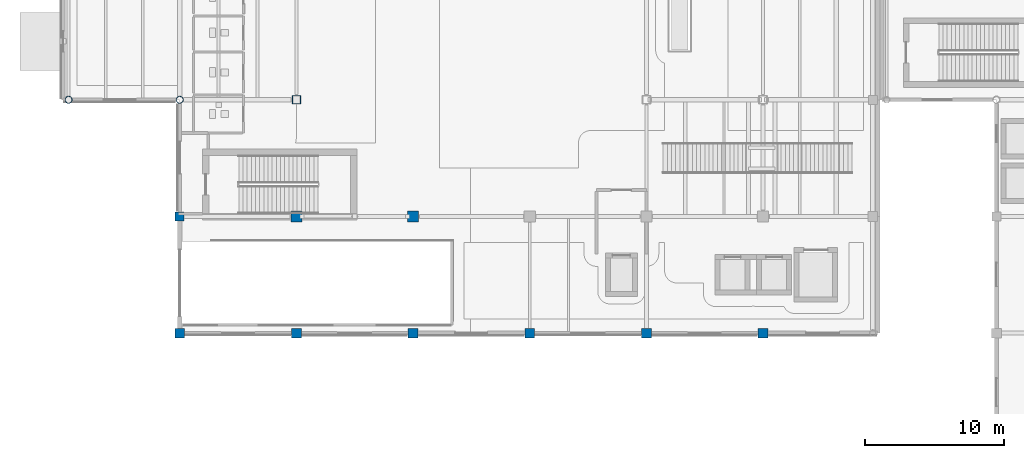
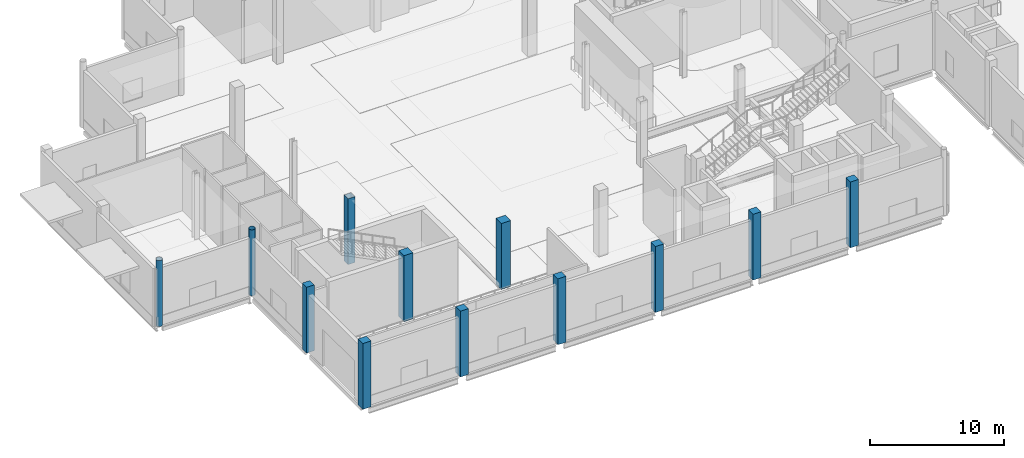
# One storey, part 1 of 85: 12 columns.
"""IFC4 building model written with IfcOpenShell, lengths in metres."""

from ifc_helpers import new_model, si_unit, direction, frame, origin, origin_2d, place, context, subcontext, project, spatial, rectangle, hollow_rectangle, hollow_circle, extrude, material, material_profile, profile_set, type_object, element, save


model = new_model("IFC4")

# Units and contexts
model_context = context("Model", 3, precision=1e-05, world=origin(), true_north=direction((0.0, 1.0)))
body_context = subcontext(model_context, "Body", "Model", "MODEL_VIEW")
ifc_project = project(units=[si_unit("LENGTHUNIT", "METRE"), si_unit("AREAUNIT", "SQUARE_METRE"), si_unit("VOLUMEUNIT", "CUBIC_METRE"), si_unit("PLANEANGLEUNIT", "RADIAN"), si_unit("MASSUNIT", "GRAM", prefix="KILO"), si_unit("THERMODYNAMICTEMPERATUREUNIT", "KELVIN")], contexts=[model_context])

# Site, building, storey
site_placement = place(None, origin())
site = spatial("IfcSite", under=ifc_project, at=site_placement, CompositionType="ELEMENT")
building_placement = place(site_placement, origin())
building = spatial("IfcBuilding", under=site, at=building_placement, Name="Lustrewick Department Store", CompositionType="ELEMENT")
storey_placement = place(building_placement, origin())
storey = spatial("IfcBuildingStorey", under=building, at=storey_placement, Name="L01", CompositionType="ELEMENT", Elevation=0.0)

# Columns
ifc_material_1 = material(Name="Structural steel Q355C", Category="steel")
ifc_material_profile_1 = material_profile(ifc_material_1, hollow_rectangle(XDim=0.60009765625, YDim=0.60009765625, WallThickness=0.02392578125, at=origin_2d()), Name="BOX 600x600x24")
ifc_profile_set_1 = profile_set([ifc_material_profile_1], Name="Structural steel Q355C")
column_type_1 = type_object("IfcColumnType", Name="C04", PredefinedType="COLUMN", material=ifc_profile_set_1)
column_1_placement = place(storey_placement, frame((16.800048828125, 58.800048828125, 0.0), z_axis=(0.0, 0.0, 1.0), x_axis=(1.0, 0.0, 0.0)))
element("IfcColumn", 1, at=column_1_placement, inside=storey, type_object=column_type_1, Name="L01 V1 Column C04", PredefinedType="COLUMN", context=body_context, shape_type="SweptSolid", body=[
    extrude(hollow_rectangle(XDim=0.60009765625, YDim=0.60009765625, WallThickness=0.02392578125, at=origin_2d()), origin(), (0.0, 0.0, 1.0), 6.0),
])
ifc_material_2 = material(Name="Concrete C40", Category="concrete")
ifc_material_profile_2 = material_profile(ifc_material_2, rectangle(XDim=0.800048828125, YDim=0.800048828125, at=origin_2d()), Name="RC 800x800")
ifc_profile_set_2 = profile_set([ifc_material_profile_2], Name="Concrete C40")
column_type_2 = type_object("IfcColumnType", Name="C19", PredefinedType="COLUMN", material=ifc_profile_set_2)
for number, where, z_axis, x_axis, name in (
    (2, (16.800048828125, 50.39990234375, 0.0), (0.0, 0.0, 1.0), (1.0, 0.0, 0.0), "L01 V1 Column C19"),
    (3, (25.199951171875, 50.39990234375, 0.0), (0.0, 0.0, 1.0), (1.0, 0.0, 0.0), "L01 V1 Column C19"),
):
    element("IfcColumn", number, at=place(storey_placement, frame(where, z_axis=z_axis, x_axis=x_axis)), inside=storey, type_object=column_type_2, Name=name, PredefinedType="COLUMN", context=body_context, shape_type="SweptSolid", body=[
        extrude(rectangle(XDim=0.800048828125, YDim=0.800048828125, at=origin_2d()), origin(), (0.0, 0.0, 1.0), 6.0),
    ])
ifc_material_profile_3 = material_profile(ifc_material_1, hollow_circle(Radius=0.25390625, WallThickness=0.01611328125, at=origin_2d()), Name="CHS 508x16")
ifc_profile_set_3 = profile_set([ifc_material_profile_3], Name="Structural steel Q355C")
column_type_3 = type_object("IfcColumnType", Name="CE01", PredefinedType="COLUMN", material=ifc_profile_set_3)
for number, where, z_axis, x_axis, name in (
    (4, (0.39990234375, 58.800048828125, 0.0), (0.0, 0.0, 1.0), (1.0, 0.0, 0.0), "L01 V1 Column CE01"),
    (5, (8.39990234375, 58.800048828125, 0.0), (0.0, 0.0, 1.0), (1.0, 0.0, 0.0), "L01 V1 Column CE01"),
):
    element("IfcColumn", number, at=place(storey_placement, frame(where, z_axis=z_axis, x_axis=x_axis)), inside=storey, type_object=column_type_3, Name=name, PredefinedType="COLUMN", context=body_context, shape_type="SweptSolid", body=[
        extrude(hollow_circle(Radius=0.25390625, WallThickness=0.01611328125, at=origin_2d()), origin(), (0.0, 0.0, 1.0), 6.0),
    ])
ifc_material_profile_4 = material_profile(ifc_material_2, rectangle(XDim=0.699951171875, YDim=0.699951171875, at=origin_2d()), Name="RC 700x700")
ifc_profile_set_4 = profile_set([ifc_material_profile_4], Name="Concrete C40")
column_type_4 = type_object("IfcColumnType", Name="CE06", PredefinedType="COLUMN", material=ifc_profile_set_4)
for number, where, z_axis, x_axis, name in (
    (6, (8.39990234375, 42.0, 0.0), (0.0, 0.0, 1.0), (1.0, 0.0, 0.0), "L01 V1 Column CE06"),
    (7, (16.800048828125, 42.0, 0.0), (0.0, 0.0, 1.0), (1.0, 0.0, 0.0), "L01 V1 Column CE06"),
    (8, (25.199951171875, 42.0, 0.0), (0.0, 0.0, 1.0), (1.0, 0.0, 0.0), "L01 V1 Column CE06"),
    (9, (33.60009765625, 42.0, 0.0), (0.0, 0.0, 1.0), (1.0, 0.0, 0.0), "L01 V1 Column CE06"),
    (10, (42.0, 42.0, 0.0), (0.0, 0.0, 1.0), (1.0, 0.0, 0.0), "L01 V1 Column CE06"),
    (11, (50.39990234375, 42.0, 0.0), (0.0, 0.0, 1.0), (1.0, 0.0, 0.0), "L01 V1 Column CE06"),
):
    element("IfcColumn", number, at=place(storey_placement, frame(where, z_axis=z_axis, x_axis=x_axis)), inside=storey, type_object=column_type_4, Name=name, PredefinedType="COLUMN", context=body_context, shape_type="SweptSolid", body=[
        extrude(rectangle(XDim=0.699951171875, YDim=0.699951171875, at=origin_2d()), origin(), (0.0, 0.0, 1.0), 6.0),
    ])
ifc_material_profile_5 = material_profile(ifc_material_2, rectangle(XDim=0.64990234375, YDim=0.64990234375, at=origin_2d()), Name="RC 650x650")
ifc_profile_set_5 = profile_set([ifc_material_profile_5], Name="Concrete C40")
column_type_5 = type_object("IfcColumnType", Name="CE07", PredefinedType="COLUMN", material=ifc_profile_set_5)
column_2_placement = place(storey_placement, frame((8.39990234375, 50.39990234375, 0.0), z_axis=(0.0, 0.0, 1.0), x_axis=(1.0, 0.0, 0.0)))
element("IfcColumn", 12, at=column_2_placement, inside=storey, type_object=column_type_5, Name="L01 V1 Column CE07", PredefinedType="COLUMN", context=body_context, shape_type="SweptSolid", body=[
    extrude(rectangle(XDim=0.64990234375, YDim=0.64990234375, at=origin_2d()), origin(), (0.0, 0.0, 1.0), 6.0),
])

save(model, "model.ifc")
